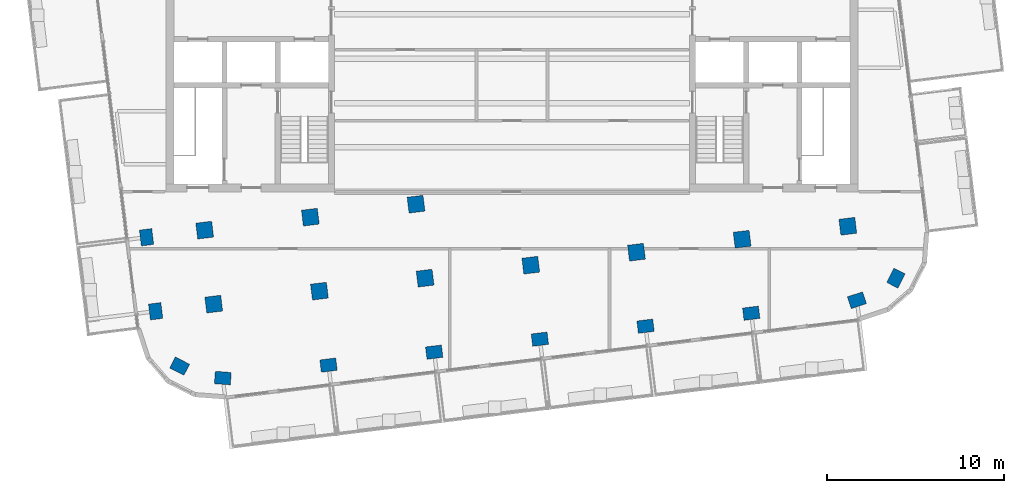
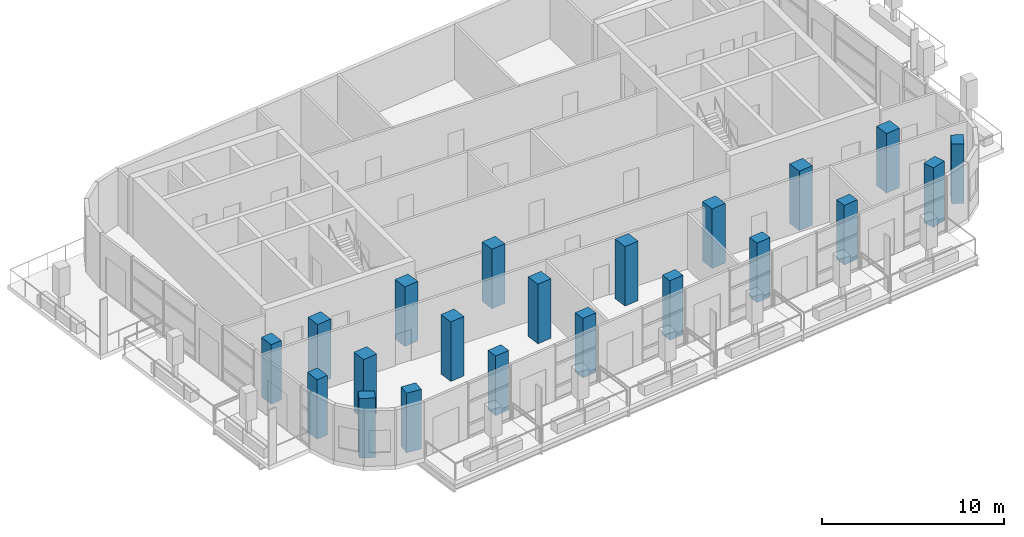
# One storey, part 1 of 13: 21 columns.
"""IFC4 building model written with IfcOpenShell, lengths in metres."""

from ifc_helpers import new_model, si_unit, direction, frame, origin, origin_2d, place, context, subcontext, project, spatial, rectangle, extrude, material, material_profile, profile_set, type_object, element, save


model = new_model("IFC4")

# Units and contexts
model_context = context("Model", 3, precision=1e-05, world=origin(), true_north=direction((0.0, 1.0)))
body_context = subcontext(model_context, "Body", "Model", "MODEL_VIEW")
ifc_project = project(units=[si_unit("LENGTHUNIT", "METRE"), si_unit("AREAUNIT", "SQUARE_METRE"), si_unit("VOLUMEUNIT", "CUBIC_METRE"), si_unit("PLANEANGLEUNIT", "RADIAN"), si_unit("MASSUNIT", "GRAM", prefix="KILO")], contexts=[model_context])

# Site, building, storey
site_placement = place(None, origin())
site = spatial("IfcSite", under=ifc_project, at=site_placement, CompositionType="ELEMENT")
building_placement = place(site_placement, origin())
building = spatial("IfcBuilding", under=site, at=building_placement, Name="Torana Hotel and Residences", CompositionType="ELEMENT")
storey_placement = place(building_placement, frame((0.0, 0.0, 342.60009765625)))
storey = spatial("IfcBuildingStorey", under=building, at=storey_placement, Name="L90", CompositionType="ELEMENT", Elevation=342.60009765625)

# Columns
ifc_material_1 = material(Name="Concrete C45/55", Category="concrete")
ifc_material_profile_1 = material_profile(ifc_material_1, rectangle(XDim=0.89990234375, YDim=0.699951171875, at=origin_2d()), Name="RC 900x700")
ifc_profile_set_1 = profile_set([ifc_material_profile_1], Name="Concrete C45/55")
column_type_1 = type_object("IfcColumnType", Name="COLUMN RC 900x700 C45/55", PredefinedType="COLUMN", material=ifc_profile_set_1)
for number, where, z_axis, x_axis, name in (
    (1, (-20.593017578125, -17.56201171875, 0.0), (0.0, 0.0, 1.0), (-0.121869343405, 0.992546151641, 0.0), "Column L90"),
    (2, (-20.0810546875, -21.73095703125, 0.0), (0.0, 0.0, 1.0), (-0.121869343405, 0.992546151641, 0.0), "Column L90"),
    (3, (-18.72802734375, -24.822998046875, 0.0), (0.0, 0.0, 1.0), (-0.892978943411, 0.450098441037, 0.0), "Column L90"),
    (4, (-16.2939453125, -25.4970703125, 0.0), (0.0, 0.0, 1.0), (-0.997251478385, 0.074091084885, 0.0), "Column L90"),
    (5, (-10.337890625, -24.76611328125, 0.0), (0.0, 0.0, 1.0), (0.992546151641, 0.121869343405, 0.0), "Column L90"),
    (6, (-4.383056640625, -24.034912109375, 0.0), (0.0, 0.0, 1.0), (0.992546151641, 0.121869343405, 0.0), "Column L90"),
    (7, (1.572021484375, -23.303955078125, 0.0), (0.0, 0.0, 1.0), (0.992546151641, 0.121869343405, 0.0), "Column L90"),
    (8, (7.527099609375, -22.572998046875, 0.0), (0.0, 0.0, 1.0), (0.992546151641, 0.121869343405, 0.0), "Column L90"),
    (9, (13.48291015625, -21.841064453125, 0.0), (0.0, 0.0, 1.0), (0.992546151641, 0.121869343405, 0.0), "Column L90"),
    (10, (19.43798828125, -21.110107421875, 0.0), (0.0, 0.0, 1.0), (0.949693660318, 0.313180381813, 0.0), "Column L90"),
    (11, (21.635986328125, -19.865966796875, 0.0), (0.0, 0.0, 1.0), (0.450098441037, 0.892978943411, 0.0), "Column L90"),
):
    element("IfcColumn", number, at=place(storey_placement, frame(where, z_axis=z_axis, x_axis=x_axis)), inside=storey, type_object=column_type_1, Name=name, PredefinedType="COLUMN", context=body_context, shape_type="SweptSolid", body=[
        extrude(rectangle(XDim=0.89990234375, YDim=0.699951171875, at=origin_2d()), origin(), (0.0, 0.0, 1.0), 4.0),
    ])
ifc_material_2 = material(Name="Concrete C45/55", Category="concrete")
ifc_material_profile_2 = material_profile(ifc_material_2, rectangle(XDim=0.89990234375, YDim=0.89990234375, at=origin_2d()), Name="RC 900x900")
ifc_profile_set_2 = profile_set([ifc_material_profile_2], Name="Concrete C45/55")
column_type_2 = type_object("IfcColumnType", Name="COLUMN RC 900x900 C45/55", PredefinedType="COLUMN", material=ifc_profile_set_2)
for number, where, z_axis, x_axis, name in (
    (12, (-17.31689453125, -17.159912109375, 0.0), (0.0, 0.0, 1.0), (0.992546151641, 0.121869343405, 0.0), "Column L90"),
    (13, (-16.805908203125, -21.3291015625, 0.0), (0.0, 0.0, 1.0), (0.992546151641, 0.121869343405, 0.0), "Column L90"),
    (14, (-11.362060546875, -16.428955078125, 0.0), (0.0, 0.0, 1.0), (0.992546151641, 0.121869343405, 0.0), "Column L90"),
    (15, (-10.85009765625, -20.597900390625, 0.0), (0.0, 0.0, 1.0), (0.992546151641, 0.121869343405, 0.0), "Column L90"),
    (16, (-5.406982421875, -15.697998046875, 0.0), (0.0, 0.0, 1.0), (0.992546151641, 0.121869343405, 0.0), "Column L90"),
    (17, (-4.89501953125, -19.865966796875, 0.0), (0.0, 0.0, 1.0), (0.992546151641, 0.121869343405, 0.0), "Column L90"),
    (18, (1.06005859375, -19.135009765625, 0.0), (0.0, 0.0, 1.0), (0.992546151641, 0.121869343405, 0.0), "Column L90"),
    (19, (7.01611328125, -18.404052734375, 0.0), (0.0, 0.0, 1.0), (0.992546151641, 0.121869343405, 0.0), "Column L90"),
    (20, (12.970947265625, -17.673095703125, 0.0), (0.0, 0.0, 1.0), (0.992546151641, 0.121869343405, 0.0), "Column L90"),
    (21, (18.926025390625, -16.94189453125, 0.0), (0.0, 0.0, 1.0), (0.992546151641, 0.121869343405, 0.0), "Column L90"),
):
    element("IfcColumn", number, at=place(storey_placement, frame(where, z_axis=z_axis, x_axis=x_axis)), inside=storey, type_object=column_type_2, Name=name, PredefinedType="COLUMN", context=body_context, shape_type="SweptSolid", body=[
        extrude(rectangle(XDim=0.89990234375, YDim=0.89990234375, at=origin_2d()), origin(), (0.0, 0.0, 1.0), 4.0),
    ])

save(model, "model.ifc")
